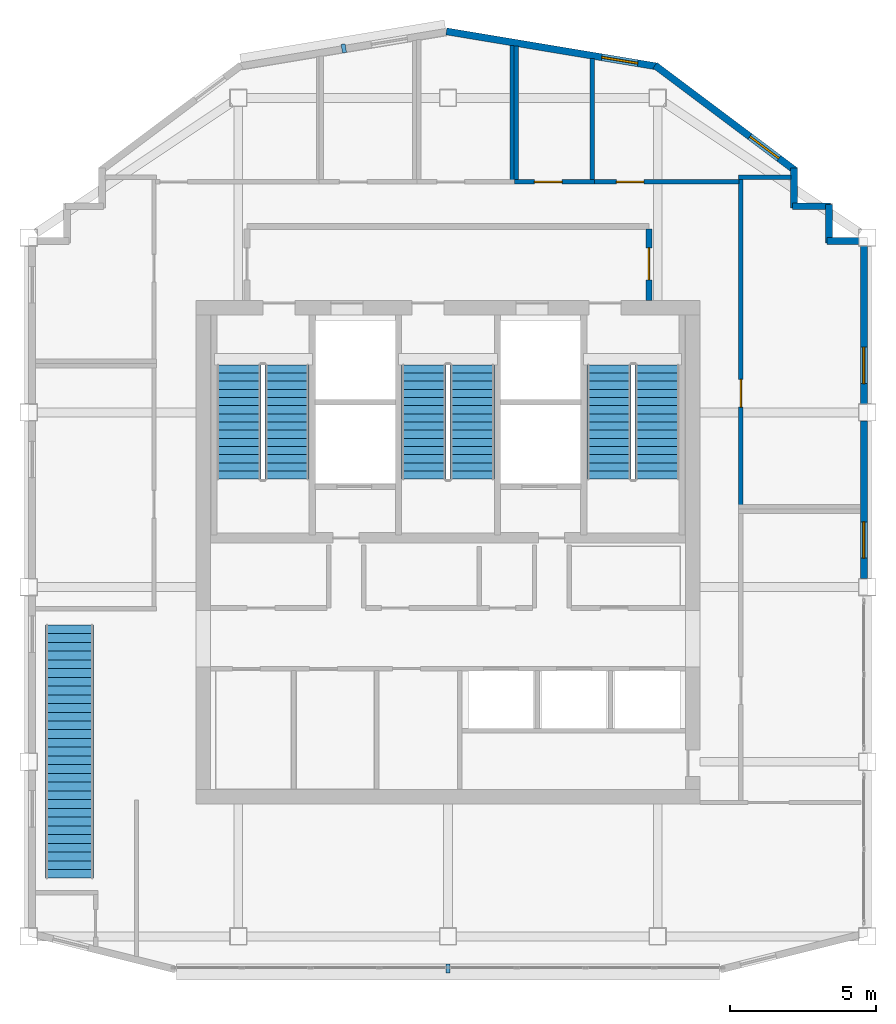
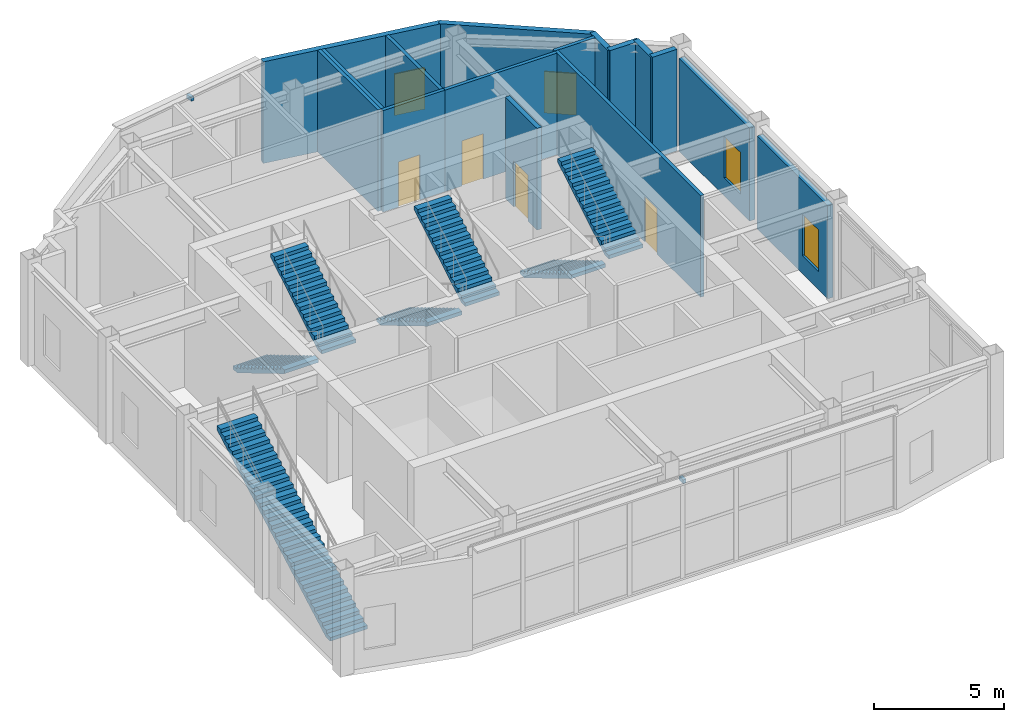
# One storey, part 9 of 11: 16 walls, 7 stair flights, 4 doors, 4 windows, 2 discrete accessories, 8 openings, 4 elements without a shape of their own.
"""IFC4 building model written with IfcOpenShell, lengths in metres."""

from ifc_helpers import new_model, si_unit, direction, frame, frame_2d, origin, origin_2d, place, context, subcontext, project, spatial, polyline, rectangle, outline, extrude, material, layer, layer_set, type_object, element, fill, aggregate, save


model = new_model("IFC4")

# Units and contexts
model_context = context("Model", 3, precision=1e-05, world=origin(), true_north=direction((0.0, 1.0)))
body_context = subcontext(model_context, "Body", "Model", "MODEL_VIEW")
ifc_project = project(units=[si_unit("LENGTHUNIT", "METRE"), si_unit("AREAUNIT", "SQUARE_METRE"), si_unit("VOLUMEUNIT", "CUBIC_METRE"), si_unit("PLANEANGLEUNIT", "RADIAN"), si_unit("MASSUNIT", "GRAM", prefix="KILO")], contexts=[model_context])

# Site, building, storey
site_placement = place(None, origin())
site = spatial("IfcSite", under=ifc_project, at=site_placement, CompositionType="ELEMENT")
building_placement = place(site_placement, origin())
building = spatial("IfcBuilding", under=site, at=building_placement, Name="Haolan Belvedere Tower", CompositionType="ELEMENT")
storey_placement = place(building_placement, frame((0.0, 0.0, 318.199951171875)))
storey = spatial("IfcBuildingStorey", under=building, at=storey_placement, Name="L80", CompositionType="ELEMENT", Elevation=318.199951171875)

# Wall, opening, window
ifc_material_1 = material(Name="Precast concrete C40/50", Category="concrete")
ifc_layer_1 = layer(ifc_material_1, 0.239990234375, Name="Precast concrete C40/50")
ifc_layer_set_1 = layer_set([ifc_layer_1], Name="Precast concrete C40/50")
wall_type_1 = type_object("IfcWallType", Name="WL-EXT-240", PredefinedType="SOLIDWALL", material=ifc_layer_set_1)
wall_1_placement = place(storey_placement, frame((52.679931640625, 33.89208984375, 0.0), z_axis=(0.0, 0.0, 1.0), x_axis=(0.0, 1.0, 0.0)))
wall_1 = element("IfcWall", 1, at=wall_1_placement, inside=storey, type_object=wall_type_1, Name="L80 pale-metal exterior spandrel wall 3.3", PredefinedType="SOLIDWALL", context=body_context, shape_type="SweptSolid", body=[
    extrude(rectangle(XDim=5.416015625, YDim=0.239990234375, at=frame_2d((2.7080078125, 0.0))), origin(), (0.0, 0.0, 1.0), 4.35498046875),
])
opening_1_placement = place(wall_1_placement, frame((0.699951171875, 0.0, 0.85009765625)))
opening_1 = element("IfcOpeningElement", 2, at=opening_1_placement, cuts=wall_1, Name="Opening W-04", PredefinedType="OPENING", context=body_context, shape_type="SweptSolid", body=[
    extrude(rectangle(XDim=1.25, YDim=1.949951171875, at=frame_2d((0.625, 0.97509765625))), frame((0.0, 0.1298828125, 0.0), z_axis=(0.0, -1.0, 0.0), x_axis=(1.0, 0.0, 0.0)), (0.0, 0.0, 1.0), 0.260009765625),
])
ifc_material_2 = material(Name="Anodised aluminium 6063-T6 and Low-E glass", Category="aluminium")
window_type = type_object("IfcWindowType", Name="WN-DECO-Z4", PartitioningType="SINGLE_PANEL", PredefinedType="WINDOW", material=ifc_material_2)
window_1_placement = place(opening_1_placement, origin())
window_1 = element("IfcWindow", 3, at=window_1_placement, inside=storey, type_object=window_type, Name="L80 Art Deco chevron window 1", OverallHeight=1.949951171875, OverallWidth=1.25, PartitioningType="SINGLE_PANEL", PredefinedType="WINDOW", context=body_context, shape_type="SweptSolid", body=[
    extrude(rectangle(XDim=1.25, YDim=1.949951171875, at=frame_2d((0.625, 0.97509765625))), frame((0.0, 0.030029296875, 0.0), z_axis=(0.0, -1.0, 0.0), x_axis=(1.0, 0.0, 0.0)), (0.0, 0.0, 1.0), 0.06005859375),
])
fill(opening_1, window_1)

wall_2_placement = place(storey_placement, frame((52.679931640625, 39.89208984375, 0.0), z_axis=(0.0, 0.0, 1.0), x_axis=(0.0, 1.0, 0.0)))
wall_2 = element("IfcWall", 4, at=wall_2_placement, inside=storey, type_object=wall_type_1, Name="L80 pale-metal exterior spandrel wall 3.4", PredefinedType="SOLIDWALL", context=body_context, shape_type="SweptSolid", body=[
    extrude(rectangle(XDim=5.416015625, YDim=0.239990234375, at=frame_2d((2.7080078125, 0.0))), origin(), (0.0, 0.0, 1.0), 4.35498046875),
])
opening_2_placement = place(wall_2_placement, frame((0.699951171875, 0.0, 0.85009765625)))
opening_2 = element("IfcOpeningElement", 5, at=opening_2_placement, cuts=wall_2, Name="Opening W-04", PredefinedType="OPENING", context=body_context, shape_type="SweptSolid", body=[
    extrude(rectangle(XDim=1.25, YDim=1.949951171875, at=frame_2d((0.625, 0.97509765625))), frame((0.0, 0.1298828125, 0.0), z_axis=(0.0, -1.0, 0.0), x_axis=(1.0, 0.0, 0.0)), (0.0, 0.0, 1.0), 0.260009765625),
])
window_2_placement = place(opening_2_placement, origin())
window_2 = element("IfcWindow", 6, at=window_2_placement, inside=storey, type_object=window_type, Name="L80 Art Deco chevron window 1", OverallHeight=1.949951171875, OverallWidth=1.25, PartitioningType="SINGLE_PANEL", PredefinedType="WINDOW", context=body_context, shape_type="SweptSolid", body=[
    extrude(rectangle(XDim=1.25, YDim=1.949951171875, at=frame_2d((0.625, 0.97509765625))), frame((0.0, 0.030029296875, 0.0), z_axis=(0.0, -1.0, 0.0), x_axis=(1.0, 0.0, 0.0)), (0.0, 0.0, 1.0), 0.06005859375),
])
fill(opening_2, window_2)

# Walls
wall_3_placement = place(storey_placement, frame((52.508056640625, 45.47998046875, 0.0), z_axis=(0.0, 0.0, 1.0), x_axis=(-1.0, 0.0, 0.0)))
element("IfcWall", 7, at=wall_3_placement, inside=storey, type_object=wall_type_1, Name="L80 pale-metal exterior spandrel wall 4.1", PredefinedType="SOLIDWALL", context=body_context, shape_type="SweptSolid", body=[
    extrude(rectangle(XDim=1.0830078125, YDim=0.239990234375, at=frame_2d((0.54150390625, 0.0))), origin(), (0.0, 0.0, 1.0), 4.760009765625),
])
wall_4_placement = place(storey_placement, frame((51.47998046875, 45.425048828125, 0.0), z_axis=(0.0, 0.0, 1.0), x_axis=(0.0, 1.0, 0.0)))
element("IfcWall", 8, at=wall_4_placement, inside=storey, type_object=wall_type_1, Name="L80 pale-metal exterior spandrel wall 5.1", PredefinedType="SOLIDWALL", context=body_context, shape_type="SweptSolid", body=[
    extrude(rectangle(XDim=1.31005859375, YDim=0.239990234375, at=frame_2d((0.655029296875, 0.0))), origin(), (0.0, 0.0, 1.0), 4.760009765625),
])
wall_5_placement = place(storey_placement, frame((51.534912109375, 46.679931640625, 0.0), z_axis=(0.0, 0.0, 1.0), x_axis=(-1.0, 0.0, 0.0)))
element("IfcWall", 9, at=wall_5_placement, inside=storey, type_object=wall_type_1, Name="L80 pale-metal exterior spandrel wall 6.1", PredefinedType="SOLIDWALL", context=body_context, shape_type="SweptSolid", body=[
    extrude(rectangle(XDim=1.309814453125, YDim=0.239990234375, at=frame_2d((0.65478515625, 0.0))), origin(), (0.0, 0.0, 1.0), 4.760009765625),
])
wall_6_placement = place(storey_placement, frame((50.280029296875, 46.625, 0.0), z_axis=(0.0, 0.0, 1.0), x_axis=(0.0, 1.0, 0.0)))
element("IfcWall", 10, at=wall_6_placement, inside=storey, type_object=wall_type_1, Name="L80 pale-metal exterior spandrel wall 7.1", PredefinedType="SOLIDWALL", context=body_context, shape_type="SweptSolid", body=[
    extrude(rectangle(XDim=1.3701171875, YDim=0.239990234375, at=frame_2d((0.68505859375, 0.0))), origin(), (0.0, 0.0, 1.0), 4.760009765625),
])

# Wall, opening, window
wall_7_placement = place(storey_placement, frame((50.323974609375, 47.906982421875, 0.0), z_axis=(0.0, 0.0, 1.0), x_axis=(-0.80001459783, 0.599980535734, 0.0)))
wall_7 = element("IfcWall", 11, at=wall_7_placement, inside=storey, type_object=wall_type_1, Name="L80 pale-metal exterior spandrel wall 8.1", PredefinedType="SOLIDWALL", context=body_context, shape_type="SweptSolid", body=[
    extrude(rectangle(XDim=6.020751953125, YDim=0.239990234375, at=frame_2d((3.01025390625, 0.0))), origin(), (0.0, 0.0, 1.0), 4.760009765625),
])
opening_3_placement = place(wall_7_placement, frame((0.699951171875, 0.0, 0.85009765625)))
opening_3 = element("IfcOpeningElement", 12, at=opening_3_placement, cuts=wall_7, Name="Opening W-04", PredefinedType="OPENING", context=body_context, shape_type="SweptSolid", body=[
    extrude(rectangle(XDim=1.25, YDim=1.949951171875, at=frame_2d((0.625, 0.97509765625))), frame((0.0, 0.1298828125, 0.0), z_axis=(0.0, -1.0, 0.0), x_axis=(1.0, 0.0, 0.0)), (0.0, 0.0, 1.0), 0.260009765625),
])
window_3_placement = place(opening_3_placement, origin())
window_3 = element("IfcWindow", 13, at=window_3_placement, inside=storey, type_object=window_type, Name="L80 Art Deco chevron window 1", OverallHeight=1.949951171875, OverallWidth=1.25, PartitioningType="SINGLE_PANEL", PredefinedType="WINDOW", context=body_context, shape_type="SweptSolid", body=[
    extrude(rectangle(XDim=1.25, YDim=1.949951171875, at=frame_2d((0.625, 0.97509765625))), frame((0.0, 0.030029296875, 0.0), z_axis=(0.0, -1.0, 0.0), x_axis=(1.0, 0.0, 0.0)), (0.0, 0.0, 1.0), 0.06005859375),
])
fill(opening_3, window_3)

wall_8_placement = place(storey_placement, frame((45.605712890625, 51.477294921875, 0.0), z_axis=(0.0, 0.0, 1.0), x_axis=(-0.986394820321, 0.164393608283, 0.0)))
wall_8 = element("IfcWall", 14, at=wall_8_placement, inside=storey, type_object=wall_type_1, Name="L80 pale-metal exterior spandrel wall 9.1", PredefinedType="SOLIDWALL", context=body_context, shape_type="SweptSolid", body=[
    extrude(rectangle(XDim=7.360107421875, YDim=0.239990234375, at=frame_2d((3.68017578125, 0.0))), origin(), (0.0, 0.0, 1.0), 4.760009765625),
])
opening_4_placement = place(wall_8_placement, frame((0.699951171875, 0.0, 0.85009765625)))
opening_4 = element("IfcOpeningElement", 15, at=opening_4_placement, cuts=wall_8, Name="Opening W-04", PredefinedType="OPENING", context=body_context, shape_type="SweptSolid", body=[
    extrude(rectangle(XDim=1.25, YDim=1.949951171875, at=frame_2d((0.625, 0.97509765625))), frame((0.0, 0.1298828125, 0.0), z_axis=(0.0, -1.0, 0.0), x_axis=(1.0, 0.0, 0.0)), (0.0, 0.0, 1.0), 0.260009765625),
])
window_4_placement = place(opening_4_placement, origin())
window_4 = element("IfcWindow", 16, at=window_4_placement, inside=storey, type_object=window_type, Name="L80 Art Deco chevron window 1", OverallHeight=1.949951171875, OverallWidth=1.25, PartitioningType="SINGLE_PANEL", PredefinedType="WINDOW", context=body_context, shape_type="SweptSolid", body=[
    extrude(rectangle(XDim=1.25, YDim=1.949951171875, at=frame_2d((0.625, 0.97509765625))), frame((0.0, 0.030029296875, 0.0), z_axis=(0.0, -1.0, 0.0), x_axis=(1.0, 0.0, 0.0)), (0.0, 0.0, 1.0), 0.06005859375),
])
fill(opening_4, window_4)

# Wall, opening, door
ifc_material_3 = material(Name="Concrete C40/50", Category="concrete")
ifc_layer_2 = layer(ifc_material_3, 0.199951171875, Name="Concrete C40/50")
ifc_layer_set_2 = layer_set([ifc_layer_2], Name="Concrete C40/50")
wall_type_2 = type_object("IfcWallType", Name="WL-FIRE-200", PredefinedType="SOLIDWALL", material=ifc_layer_set_2)
wall_9_placement = place(storey_placement, frame((45.300048828125, 43.449951171875, 0.0), z_axis=(0.0, 0.0, 1.0), x_axis=(0.0, 1.0, 0.0)))
wall_9 = element("IfcWall", 17, at=wall_9_placement, inside=storey, type_object=wall_type_2, Name="L80 interior partition IW-L80-FFL-E", PredefinedType="SOLIDWALL", context=body_context, shape_type="SweptSolid", body=[
    extrude(rectangle(XDim=2.445068359375, YDim=0.199951171875, at=frame_2d((1.22265625, 0.0))), origin(), (0.0, 0.0, 1.0), 4.760009765625),
])
opening_5_placement = place(wall_9_placement, frame((0.699951171875, 0.0, 0.0)))
opening_5 = element("IfcOpeningElement", 18, at=opening_5_placement, cuts=wall_9, Name="Opening FD-03", PredefinedType="OPENING", context=body_context, shape_type="SweptSolid", body=[
    extrude(rectangle(XDim=1.10009765625, YDim=2.14990234375, at=frame_2d((0.550048828125, 1.074951171875))), frame((0.0, 0.10986328125, 0.0), z_axis=(0.0, -1.0, 0.0), x_axis=(1.0, 0.0, 0.0)), (0.0, 0.0, 1.0), 0.219970703125),
])
ifc_material_4 = material(Name="Galvanised fire-rated steel", Category="steel")
door_type_1 = type_object("IfcDoorType", Name="DR-FD90-1100", OperationType="NOTDEFINED", PredefinedType="DOOR", material=ifc_material_4)
door_1_placement = place(opening_5_placement, origin())
door_1 = element("IfcDoor", 19, at=door_1_placement, inside=storey, type_object=door_type_1, Name="L80 door ID-L80-FFL-DE", OperationType="SINGLE_SWING_RIGHT", OverallHeight=2.14990234375, OverallWidth=1.10009765625, PredefinedType="DOOR", context=body_context, shape_type="SweptSolid", body=[
    extrude(rectangle(XDim=1.10009765625, YDim=2.14990234375, at=frame_2d((0.550048828125, 1.074951171875))), frame((0.0, 0.02490234375, 0.0), z_axis=(0.0, -1.0, 0.0), x_axis=(1.0, 0.0, 0.0)), (0.0, 0.0, 1.0), 0.050048828125),
])
fill(opening_5, door_1)

# Wall
ifc_material_5 = material(Name="Double gypsum acoustic stud partition", Category="masonry")
ifc_layer_3 = layer(ifc_material_5, 0.14990234375, Name="Double gypsum acoustic stud partition")
ifc_layer_set_3 = layer_set([ifc_layer_3], Name="Double gypsum acoustic stud partition")
wall_type_3 = type_object("IfcWallType", Name="WL-PART-150", PredefinedType="PARTITIONING", material=ifc_layer_set_3)
wall_10_placement = place(storey_placement, frame((40.60009765625, 47.580078125, 0.0), z_axis=(0.0, 0.0, 1.0), x_axis=(0.0, 1.0, 0.0)))
element("IfcWall", 20, at=wall_10_placement, inside=storey, type_object=wall_type_3, Name="L80 interior partition IW-L80-WCF-E", PredefinedType="PARTITIONING", context=body_context, shape_type="SweptSolid", body=[
    extrude(rectangle(XDim=4.625, YDim=0.14990234375, at=frame_2d((2.3125, 0.0))), origin(), (0.0, 0.0, 1.0), 4.760009765625),
])

# Wall, opening, door
wall_11_placement = place(storey_placement, frame((40.681884765625, 47.52001953125, 0.0), z_axis=(0.0, 0.0, 1.0), x_axis=(1.0, 0.0, 0.0)))
wall_11 = element("IfcWall", 21, at=wall_11_placement, inside=storey, type_object=wall_type_3, Name="L80 interior partition IW-L80-WCA-S", PredefinedType="PARTITIONING", context=body_context, shape_type="SweptSolid", body=[
    extrude(rectangle(XDim=2.748046875, YDim=0.14990234375, at=frame_2d((1.3740234375, 0.0))), origin(), (0.0, 0.0, 1.0), 4.760009765625),
])
opening_6_placement = place(wall_11_placement, frame((0.68798828125, 0.0, 0.0)))
opening_6 = element("IfcOpeningElement", 22, at=opening_6_placement, cuts=wall_11, Name="Opening ID-03", PredefinedType="OPENING", context=body_context, shape_type="SweptSolid", body=[
    extrude(rectangle(XDim=0.949951171875, YDim=2.1201171875, at=frame_2d((0.47509765625, 1.06005859375))), frame((0.0, 0.0849609375, 0.0), z_axis=(0.0, -1.0, 0.0), x_axis=(1.0, 0.0, 0.0)), (0.0, 0.0, 1.0), 0.169921875),
])
ifc_material_6 = material(Name="Painted solid-core timber", Category="wood")
door_type_2 = type_object("IfcDoorType", Name="DR-INT-950", OperationType="NOTDEFINED", PredefinedType="DOOR", material=ifc_material_6)
door_2_placement = place(opening_6_placement, origin())
door_2 = element("IfcDoor", 23, at=door_2_placement, inside=storey, type_object=door_type_2, Name="L80 door ID-L80-WCA", OperationType="SINGLE_SWING_LEFT", OverallHeight=2.1201171875, OverallWidth=0.949951171875, PredefinedType="DOOR", context=body_context, shape_type="SweptSolid", body=[
    extrude(rectangle(XDim=0.949951171875, YDim=2.1201171875, at=frame_2d((0.47509765625, 1.06005859375))), frame((0.0, 0.02490234375, 0.0), z_axis=(0.0, -1.0, 0.0), x_axis=(1.0, 0.0, 0.0)), (0.0, 0.0, 1.0), 0.050048828125),
])
fill(opening_6, door_2)

# Walls
wall_12_placement = place(storey_placement, frame((40.75, 47.580078125, 0.0), z_axis=(0.0, 0.0, 1.0), x_axis=(0.0, 1.0, 0.0)))
element("IfcWall", 24, at=wall_12_placement, inside=storey, type_object=wall_type_3, Name="L80 interior partition IW-L80-WCA-W", PredefinedType="PARTITIONING", context=body_context, shape_type="SweptSolid", body=[
    extrude(rectangle(XDim=4.60009765625, YDim=0.14990234375, at=frame_2d((2.300048828125, 0.0))), origin(), (0.0, 0.0, 1.0), 4.760009765625),
])
wall_13_placement = place(storey_placement, frame((43.35009765625, 47.580078125, 0.0), z_axis=(0.0, 0.0, 1.0), x_axis=(0.0, 1.0, 0.0)))
element("IfcWall", 25, at=wall_13_placement, inside=storey, type_object=wall_type_3, Name="L80 interior partition IW-L80-WCA-E", PredefinedType="PARTITIONING", context=body_context, shape_type="SweptSolid", body=[
    extrude(rectangle(XDim=4.166748046875, YDim=0.14990234375, at=frame_2d((2.08349609375, 0.0))), origin(), (0.0, 0.0, 1.0), 4.760009765625),
])
wall_14_placement = place(storey_placement, frame((48.3798828125, 47.679931640625, 0.0), z_axis=(0.0, 0.0, 1.0), x_axis=(1.0, 0.0, 0.0)))
element("IfcWall", 26, at=wall_14_placement, inside=storey, type_object=wall_type_3, Name="L80 interior partition IW-L80-CAFE-N", PredefinedType="PARTITIONING", context=body_context, shape_type="SweptSolid", body=[
    extrude(rectangle(XDim=1.795166015625, YDim=0.14990234375, at=frame_2d((0.8974609375, 0.0))), origin(), (0.0, 0.0, 1.0), 4.760009765625),
])

# Wall, opening, door
wall_15_placement = place(storey_placement, frame((48.4599609375, 36.419921875, 0.0), z_axis=(0.0, 0.0, 1.0), x_axis=(0.0, 1.0, 0.0)))
wall_15 = element("IfcWall", 27, at=wall_15_placement, inside=storey, type_object=wall_type_3, Name="L80 interior partition IW-L80-CAFE-W", PredefinedType="PARTITIONING", context=body_context, shape_type="SweptSolid", body=[
    extrude(rectangle(XDim=11.2001953125, YDim=0.14990234375, at=frame_2d((5.60009765625, 0.0))), origin(), (0.0, 0.0, 1.0), 4.760009765625),
])
opening_7_placement = place(wall_15_placement, frame((3.360107421875, 0.0, 0.0)))
opening_7 = element("IfcOpeningElement", 28, at=opening_7_placement, cuts=wall_15, Name="Opening ID-03", PredefinedType="OPENING", context=body_context, shape_type="SweptSolid", body=[
    extrude(rectangle(XDim=0.949951171875, YDim=2.1201171875, at=frame_2d((0.47509765625, 1.06005859375))), frame((0.0, 0.0849609375, 0.0), z_axis=(0.0, -1.0, 0.0), x_axis=(1.0, 0.0, 0.0)), (0.0, 0.0, 1.0), 0.169921875),
])
door_3_placement = place(opening_7_placement, origin())
door_3 = element("IfcDoor", 29, at=door_3_placement, inside=storey, type_object=door_type_2, Name="L80 door ID-L80-CAFE", OperationType="SINGLE_SWING_RIGHT", OverallHeight=2.1201171875, OverallWidth=0.949951171875, PredefinedType="DOOR", context=body_context, shape_type="SweptSolid", body=[
    extrude(rectangle(XDim=0.949951171875, YDim=2.1201171875, at=frame_2d((0.47509765625, 1.06005859375))), frame((0.0, 0.02490234375, 0.0), z_axis=(0.0, -1.0, 0.0), x_axis=(1.0, 0.0, 0.0)), (0.0, 0.0, 1.0), 0.050048828125),
])
fill(opening_7, door_3)

wall_16_placement = place(storey_placement, frame((43.431884765625, 47.52001953125, 0.0), z_axis=(0.0, 0.0, 1.0), x_axis=(1.0, 0.0, 0.0)))
wall_16 = element("IfcWall", 30, at=wall_16_placement, inside=storey, type_object=wall_type_3, Name="L80 interior partition IW-L80-NELNG-S", PredefinedType="PARTITIONING", context=body_context, shape_type="SweptSolid", body=[
    extrude(rectangle(XDim=4.968017578125, YDim=0.14990234375, at=frame_2d((2.48388671875, 0.0))), origin(), (0.0, 0.0, 1.0), 4.760009765625),
])
opening_8_placement = place(wall_16_placement, frame((0.748046875, 0.0, 0.0)))
opening_8 = element("IfcOpeningElement", 31, at=opening_8_placement, cuts=wall_16, Name="Opening ID-03", PredefinedType="OPENING", context=body_context, shape_type="SweptSolid", body=[
    extrude(rectangle(XDim=0.949951171875, YDim=2.1201171875, at=frame_2d((0.47509765625, 1.06005859375))), frame((0.0, 0.0849609375, 0.0), z_axis=(0.0, -1.0, 0.0), x_axis=(1.0, 0.0, 0.0)), (0.0, 0.0, 1.0), 0.169921875),
])
door_4_placement = place(opening_8_placement, origin())
door_4 = element("IfcDoor", 32, at=door_4_placement, inside=storey, type_object=door_type_2, Name="L80 door ID-L80-NELNG", OperationType="SINGLE_SWING_RIGHT", OverallHeight=2.1201171875, OverallWidth=0.949951171875, PredefinedType="DOOR", context=body_context, shape_type="SweptSolid", body=[
    extrude(rectangle(XDim=0.949951171875, YDim=2.1201171875, at=frame_2d((0.47509765625, 1.06005859375))), frame((0.0, 0.02490234375, 0.0), z_axis=(0.0, -1.0, 0.0), x_axis=(1.0, 0.0, 0.0)), (0.0, 0.0, 1.0), 0.050048828125),
])
fill(opening_8, door_4)

# Stair, stair flights
stair_type_1 = type_object("IfcStairType", Name="STR-DL-30R-167", PredefinedType="HALF_TURN_STAIR", material=ifc_material_3)
stair_1_placement = place(storey_placement, origin())
stair_1 = element("IfcStair", 33, at=stair_1_placement, inside=storey, type_object=stair_type_1, Name="L80 Smokeproof Core Exit Stair ST1", PredefinedType="HALF_TURN_STAIR")
stair_flight_type_1 = type_object("IfcStairFlightType", Name="SFL-DL-15R-167", PredefinedType="STRAIGHT", material=ifc_material_3)
stair_flight_1_placement = place(storey_placement, frame((31.2099609375, 41.22998046875, 0.0), z_axis=(0.0, 0.0, 1.0), x_axis=(0.0, -1.0, 0.0)))
stair_flight_1 = element("IfcStairFlight", 34, at=stair_flight_1_placement, type_object=stair_flight_type_1, Name="ST1 flight 1", NumberOfRisers=15, NumberOfTreads=14, PredefinedType="STRAIGHT", RiserHeight=0.166666667, TreadLength=0.28, context=body_context, shape_type="SweptSolid", body=[
    extrude(outline(polyline([(0.0, 0.0), (0.0, 0.166748046875), (0.280029296875, 0.166748046875), (0.280029296875, 0.333251953125), (0.56005859375, 0.333251953125), (0.56005859375, 0.5), (0.840087890625, 0.5), (0.840087890625, 0.666748046875), (1.1201171875, 0.666748046875), (1.1201171875, 0.833251953125), (1.39990234375, 0.833251953125), (1.39990234375, 1.0), (1.679931640625, 1.0), (1.679931640625, 1.166748046875), (1.9599609375, 1.166748046875), (1.9599609375, 1.333251953125), (2.239990234375, 1.333251953125), (2.239990234375, 1.5), (2.52001953125, 1.5), (2.52001953125, 1.666748046875), (2.800048828125, 1.666748046875), (2.800048828125, 1.833251953125), (3.080078125, 1.833251953125), (3.080078125, 2.0), (3.360107421875, 2.0), (3.360107421875, 2.166748046875), (3.639892578125, 2.166748046875), (3.639892578125, 2.333251953125), (3.919921875, 2.333251953125), (3.919921875, 2.5), (3.919921875, 2.158935546875), (0.29296875, 0.0), (0.0, 0.0)])), frame((0.0, 0.760009765625, 0.0), z_axis=(0.0, -1.0, 0.0), x_axis=(1.0, 0.0, 0.0)), (0.0, 0.0, 1.0), 1.52001953125),
])
stair_flight_2_placement = place(storey_placement, frame((32.8701171875, 37.31005859375, 2.5), z_axis=(0.0, 0.0, 1.0), x_axis=(0.0, 1.0, 0.0)))
stair_flight_2 = element("IfcStairFlight", 35, at=stair_flight_2_placement, type_object=stair_flight_type_1, Name="ST1 flight 2", NumberOfRisers=15, NumberOfTreads=14, PredefinedType="STRAIGHT", RiserHeight=0.166666667, TreadLength=0.28, context=body_context, shape_type="SweptSolid", body=[
    extrude(outline(polyline([(0.0, 0.0), (0.0, 0.166748046875), (0.280029296875, 0.166748046875), (0.280029296875, 0.333251953125), (0.56005859375, 0.333251953125), (0.56005859375, 0.5), (0.840087890625, 0.5), (0.840087890625, 0.666748046875), (1.1201171875, 0.666748046875), (1.1201171875, 0.833251953125), (1.39990234375, 0.833251953125), (1.39990234375, 1.0), (1.679931640625, 1.0), (1.679931640625, 1.166748046875), (1.9599609375, 1.166748046875), (1.9599609375, 1.333251953125), (2.239990234375, 1.333251953125), (2.239990234375, 1.5), (2.52001953125, 1.5), (2.52001953125, 1.666748046875), (2.800048828125, 1.666748046875), (2.800048828125, 1.833251953125), (3.080078125, 1.833251953125), (3.080078125, 2.0), (3.360107421875, 2.0), (3.360107421875, 2.166748046875), (3.639892578125, 2.166748046875), (3.639892578125, 2.333251953125), (3.919921875, 2.333251953125), (3.919921875, 2.5), (3.919921875, 2.158935546875), (0.29296875, 0.0), (0.0, 0.0)])), frame((0.0, 0.760009765625, 0.0), z_axis=(0.0, -1.0, 0.0), x_axis=(1.0, 0.0, 0.0)), (0.0, 0.0, 1.0), 1.52001953125),
])
aggregate(stair_1, [stair_flight_1, stair_flight_2])

stair_2_placement = place(storey_placement, origin())
stair_2 = element("IfcStair", 36, at=stair_2_placement, inside=storey, type_object=stair_type_1, Name="L80 Smokeproof Core Exit Stair ST3", PredefinedType="HALF_TURN_STAIR")
stair_flight_3_placement = place(storey_placement, frame((37.570068359375, 41.22998046875, 0.0), z_axis=(0.0, 0.0, 1.0), x_axis=(0.0, -1.0, 0.0)))
stair_flight_3 = element("IfcStairFlight", 37, at=stair_flight_3_placement, type_object=stair_flight_type_1, Name="ST3 flight 1", NumberOfRisers=15, NumberOfTreads=14, PredefinedType="STRAIGHT", RiserHeight=0.166666667, TreadLength=0.28, context=body_context, shape_type="SweptSolid", body=[
    extrude(outline(polyline([(0.0, 0.0), (0.0, 0.166748046875), (0.280029296875, 0.166748046875), (0.280029296875, 0.333251953125), (0.56005859375, 0.333251953125), (0.56005859375, 0.5), (0.840087890625, 0.5), (0.840087890625, 0.666748046875), (1.1201171875, 0.666748046875), (1.1201171875, 0.833251953125), (1.39990234375, 0.833251953125), (1.39990234375, 1.0), (1.679931640625, 1.0), (1.679931640625, 1.166748046875), (1.9599609375, 1.166748046875), (1.9599609375, 1.333251953125), (2.239990234375, 1.333251953125), (2.239990234375, 1.5), (2.52001953125, 1.5), (2.52001953125, 1.666748046875), (2.800048828125, 1.666748046875), (2.800048828125, 1.833251953125), (3.080078125, 1.833251953125), (3.080078125, 2.0), (3.360107421875, 2.0), (3.360107421875, 2.166748046875), (3.639892578125, 2.166748046875), (3.639892578125, 2.333251953125), (3.919921875, 2.333251953125), (3.919921875, 2.5), (3.919921875, 2.158935546875), (0.29296875, 0.0), (0.0, 0.0)])), frame((0.0, 0.760009765625, 0.0), z_axis=(0.0, -1.0, 0.0), x_axis=(1.0, 0.0, 0.0)), (0.0, 0.0, 1.0), 1.52001953125),
])
stair_flight_4_placement = place(storey_placement, frame((39.22998046875, 37.31005859375, 2.5), z_axis=(0.0, 0.0, 1.0), x_axis=(0.0, 1.0, 0.0)))
stair_flight_4 = element("IfcStairFlight", 38, at=stair_flight_4_placement, type_object=stair_flight_type_1, Name="ST3 flight 2", NumberOfRisers=15, NumberOfTreads=14, PredefinedType="STRAIGHT", RiserHeight=0.166666667, TreadLength=0.28, context=body_context, shape_type="SweptSolid", body=[
    extrude(outline(polyline([(0.0, 0.0), (0.0, 0.166748046875), (0.280029296875, 0.166748046875), (0.280029296875, 0.333251953125), (0.56005859375, 0.333251953125), (0.56005859375, 0.5), (0.840087890625, 0.5), (0.840087890625, 0.666748046875), (1.1201171875, 0.666748046875), (1.1201171875, 0.833251953125), (1.39990234375, 0.833251953125), (1.39990234375, 1.0), (1.679931640625, 1.0), (1.679931640625, 1.166748046875), (1.9599609375, 1.166748046875), (1.9599609375, 1.333251953125), (2.239990234375, 1.333251953125), (2.239990234375, 1.5), (2.52001953125, 1.5), (2.52001953125, 1.666748046875), (2.800048828125, 1.666748046875), (2.800048828125, 1.833251953125), (3.080078125, 1.833251953125), (3.080078125, 2.0), (3.360107421875, 2.0), (3.360107421875, 2.166748046875), (3.639892578125, 2.166748046875), (3.639892578125, 2.333251953125), (3.919921875, 2.333251953125), (3.919921875, 2.5), (3.919921875, 2.158935546875), (0.29296875, 0.0), (0.0, 0.0)])), frame((0.0, 0.760009765625, 0.0), z_axis=(0.0, -1.0, 0.0), x_axis=(1.0, 0.0, 0.0)), (0.0, 0.0, 1.0), 1.52001953125),
])
aggregate(stair_2, [stair_flight_3, stair_flight_4])

stair_3_placement = place(storey_placement, origin())
stair_3 = element("IfcStair", 39, at=stair_3_placement, inside=storey, type_object=stair_type_1, Name="L80 Smokeproof Core Exit Stair ST2", PredefinedType="HALF_TURN_STAIR")
stair_flight_5_placement = place(storey_placement, frame((43.929931640625, 41.22998046875, 0.0), z_axis=(0.0, 0.0, 1.0), x_axis=(0.0, -1.0, 0.0)))
stair_flight_5 = element("IfcStairFlight", 40, at=stair_flight_5_placement, type_object=stair_flight_type_1, Name="ST2 flight 1", NumberOfRisers=15, NumberOfTreads=14, PredefinedType="STRAIGHT", RiserHeight=0.166666667, TreadLength=0.28, context=body_context, shape_type="SweptSolid", body=[
    extrude(outline(polyline([(0.0, 0.0), (0.0, 0.166748046875), (0.280029296875, 0.166748046875), (0.280029296875, 0.333251953125), (0.56005859375, 0.333251953125), (0.56005859375, 0.5), (0.840087890625, 0.5), (0.840087890625, 0.666748046875), (1.1201171875, 0.666748046875), (1.1201171875, 0.833251953125), (1.39990234375, 0.833251953125), (1.39990234375, 1.0), (1.679931640625, 1.0), (1.679931640625, 1.166748046875), (1.9599609375, 1.166748046875), (1.9599609375, 1.333251953125), (2.239990234375, 1.333251953125), (2.239990234375, 1.5), (2.52001953125, 1.5), (2.52001953125, 1.666748046875), (2.800048828125, 1.666748046875), (2.800048828125, 1.833251953125), (3.080078125, 1.833251953125), (3.080078125, 2.0), (3.360107421875, 2.0), (3.360107421875, 2.166748046875), (3.639892578125, 2.166748046875), (3.639892578125, 2.333251953125), (3.919921875, 2.333251953125), (3.919921875, 2.5), (3.919921875, 2.158935546875), (0.29296875, 0.0), (0.0, 0.0)])), frame((0.0, 0.760009765625, 0.0), z_axis=(0.0, -1.0, 0.0), x_axis=(1.0, 0.0, 0.0)), (0.0, 0.0, 1.0), 1.52001953125),
])
stair_flight_6_placement = place(storey_placement, frame((45.590087890625, 37.31005859375, 2.5), z_axis=(0.0, 0.0, 1.0), x_axis=(0.0, 1.0, 0.0)))
stair_flight_6 = element("IfcStairFlight", 41, at=stair_flight_6_placement, type_object=stair_flight_type_1, Name="ST2 flight 2", NumberOfRisers=15, NumberOfTreads=14, PredefinedType="STRAIGHT", RiserHeight=0.166666667, TreadLength=0.28, context=body_context, shape_type="SweptSolid", body=[
    extrude(outline(polyline([(0.0, 0.0), (0.0, 0.166748046875), (0.280029296875, 0.166748046875), (0.280029296875, 0.333251953125), (0.56005859375, 0.333251953125), (0.56005859375, 0.5), (0.840087890625, 0.5), (0.840087890625, 0.666748046875), (1.1201171875, 0.666748046875), (1.1201171875, 0.833251953125), (1.39990234375, 0.833251953125), (1.39990234375, 1.0), (1.679931640625, 1.0), (1.679931640625, 1.166748046875), (1.9599609375, 1.166748046875), (1.9599609375, 1.333251953125), (2.239990234375, 1.333251953125), (2.239990234375, 1.5), (2.52001953125, 1.5), (2.52001953125, 1.666748046875), (2.800048828125, 1.666748046875), (2.800048828125, 1.833251953125), (3.080078125, 1.833251953125), (3.080078125, 2.0), (3.360107421875, 2.0), (3.360107421875, 2.166748046875), (3.639892578125, 2.166748046875), (3.639892578125, 2.333251953125), (3.919921875, 2.333251953125), (3.919921875, 2.5), (3.919921875, 2.158935546875), (0.29296875, 0.0), (0.0, 0.0)])), frame((0.0, 0.760009765625, 0.0), z_axis=(0.0, -1.0, 0.0), x_axis=(1.0, 0.0, 0.0)), (0.0, 0.0, 1.0), 1.52001953125),
])
aggregate(stair_3, [stair_flight_5, stair_flight_6])

# Stair, stair flight
stair_type_2 = type_object("IfcStairType", Name="STR-STR-ST10", PredefinedType="STRAIGHT_RUN_STAIR", material=ifc_material_1)
stair_4_placement = place(storey_placement, origin())
stair_4 = element("IfcStair", 42, at=stair_4_placement, inside=storey, type_object=stair_type_2, Name="L80 feature straight stair ST10", PredefinedType="STRAIGHT_RUN_STAIR")
stair_flight_type_2 = type_object("IfcStairFlightType", Name="SFL-STR-ST10", PredefinedType="STRAIGHT", material=ifc_material_1)
stair_flight_7_placement = place(storey_placement, frame((25.39990234375, 23.60009765625, 0.0), z_axis=(0.0, 0.0, 1.0), x_axis=(0.0, 1.0, 0.0)))
stair_flight_7 = element("IfcStairFlight", 43, at=stair_flight_7_placement, type_object=stair_flight_type_2, Name="ST10 flight 1", NumberOfRisers=30, NumberOfTreads=29, PredefinedType="STRAIGHT", RiserHeight=0.166666667, TreadLength=0.3, context=body_context, shape_type="SweptSolid", body=[
    extrude(outline(polyline([(0.0, 0.0), (0.0, 0.166748046875), (0.300048828125, 0.166748046875), (0.300048828125, 0.333251953125), (0.60009765625, 0.333251953125), (0.60009765625, 0.5), (0.89990234375, 0.5), (0.89990234375, 0.666748046875), (1.199951171875, 0.666748046875), (1.199951171875, 0.833251953125), (1.5, 0.833251953125), (1.5, 1.0), (1.800048828125, 1.0), (1.800048828125, 1.166748046875), (2.10009765625, 1.166748046875), (2.10009765625, 1.333251953125), (2.39990234375, 1.333251953125), (2.39990234375, 1.5), (2.699951171875, 1.5), (2.699951171875, 1.666748046875), (3.0, 1.666748046875), (3.0, 1.833251953125), (3.300048828125, 1.833251953125), (3.300048828125, 2.0), (3.60009765625, 2.0), (3.60009765625, 2.166748046875), (3.89990234375, 2.166748046875), (3.89990234375, 2.333251953125), (4.199951171875, 2.333251953125), (4.199951171875, 2.5), (4.5, 2.5), (4.5, 2.666748046875), (4.800048828125, 2.666748046875), (4.800048828125, 2.833251953125), (5.10009765625, 2.833251953125), (5.10009765625, 3.0), (5.39990234375, 3.0), (5.39990234375, 3.166748046875), (5.699951171875, 3.166748046875), (5.699951171875, 3.333251953125), (6.0, 3.333251953125), (6.0, 3.5), (6.300048828125, 3.5), (6.300048828125, 3.666748046875), (6.60009765625, 3.666748046875), (6.60009765625, 3.833251953125), (6.89990234375, 3.833251953125), (6.89990234375, 4.0), (7.199951171875, 4.0), (7.199951171875, 4.166748046875), (7.5, 4.166748046875), (7.5, 4.333251953125), (7.800048828125, 4.333251953125), (7.800048828125, 4.5), (8.10009765625, 4.5), (8.10009765625, 4.666748046875), (8.39990234375, 4.666748046875), (8.39990234375, 4.833251953125), (8.699951171875, 4.833251953125), (8.699951171875, 5.0), (8.699951171875, 4.62744140625), (0.37060546875, 0.0), (0.0, 0.0)])), frame((0.0, 0.824951171875, 0.0), z_axis=(0.0, -1.0, 0.0), x_axis=(1.0, 0.0, 0.0)), (0.0, 0.0, 1.0), 1.64990234375),
])
aggregate(stair_4, [stair_flight_7])

# Discrete accessories
ifc_material_7 = material(Name="Stainless steel 316L", Category="steel")
discrete_accessory_type = type_object("IfcDiscreteAccessoryType", Name="ACC-BRK-SUN", PredefinedType="BRACKET", material=ifc_material_7)
for number, where, z_axis, x_axis, name in (
    (44, (38.39990234375, 20.5, 4.5302734375), (0.0, 0.0, 1.0), (1.0, 0.0, 0.0), "L80 sunshade support bracket 1.1"),
    (45, (34.821044921875, 52.10205078125, 4.5302734375), (0.0, 0.0, 1.0), (-0.986394848329, -0.164393440227, 0.0), "L80 sunshade support bracket 10.1"),
):
    element("IfcDiscreteAccessory", number, at=place(storey_placement, frame(where, z_axis=z_axis, x_axis=x_axis)), inside=storey, type_object=discrete_accessory_type, Name=name, PredefinedType="BRACKET", context=body_context, shape_type="SweptSolid", body=[
        extrude(rectangle(XDim=0.139892578125, YDim=0.300048828125, at=origin_2d()), origin(), (0.0, 0.0, 1.0), 0.179931640625),
    ])

save(model, "model.ifc")
